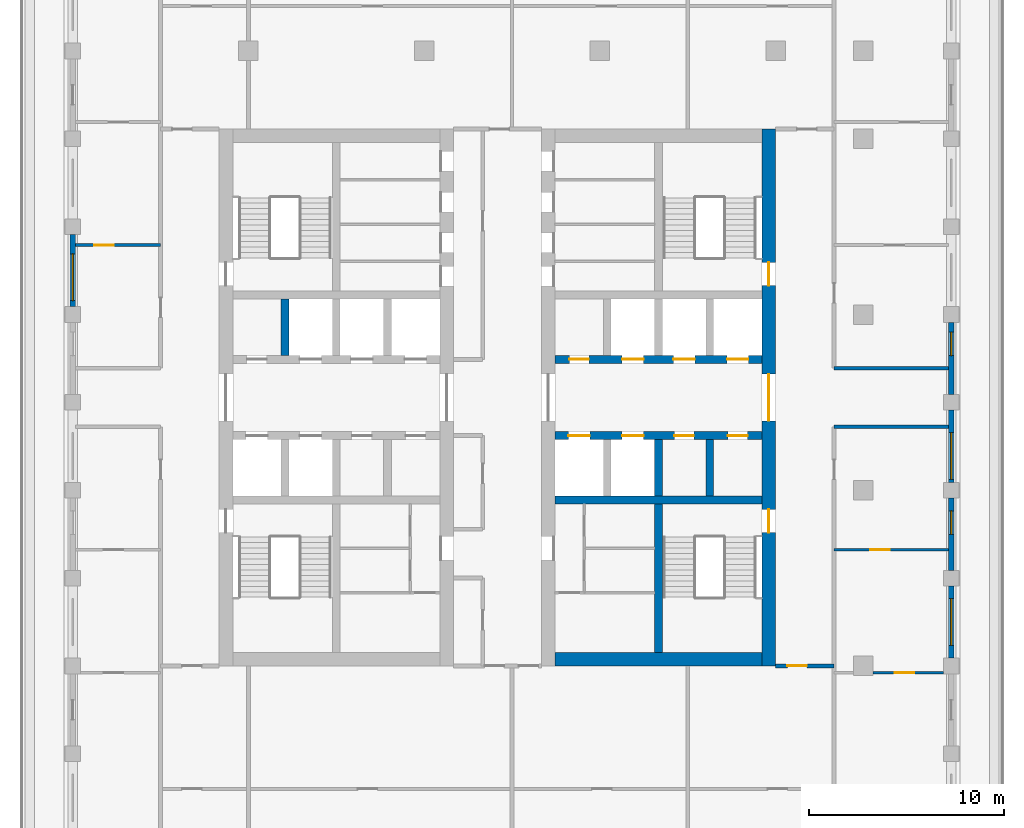
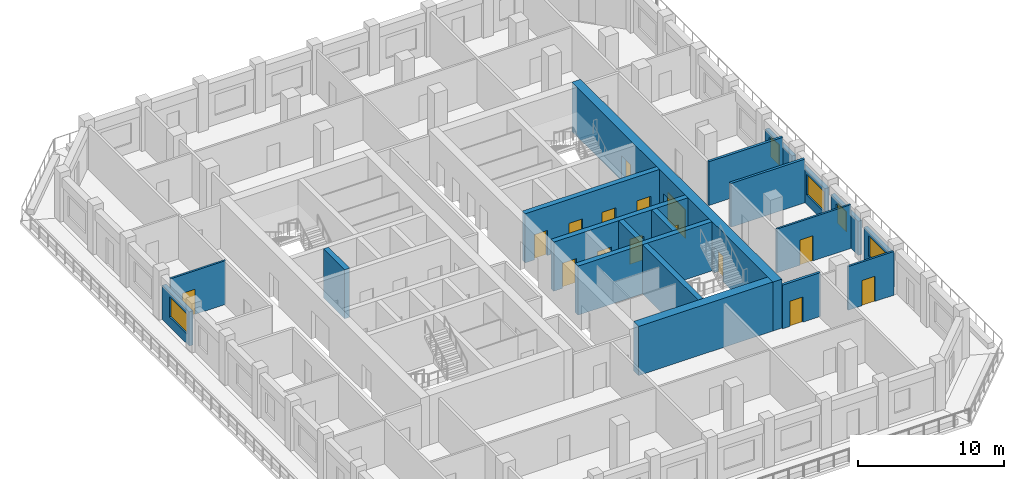
# One storey, part 5 of 17: 20 walls, 15 doors, 5 windows, 20 openings.
"""IFC4 building model written with IfcOpenShell, lengths in metres."""

from ifc_helpers import new_model, si_unit, direction, frame, frame_2d, origin, place, context, subcontext, project, spatial, rectangle, extrude, material, layer, layer_set, type_object, element, fill, save


model = new_model("IFC4")

# Units and contexts
model_context = context("Model", 3, precision=1e-05, world=origin(), true_north=direction((0.0, 1.0)))
body_context = subcontext(model_context, "Body", "Model", "MODEL_VIEW")
ifc_project = project(units=[si_unit("LENGTHUNIT", "METRE"), si_unit("AREAUNIT", "SQUARE_METRE"), si_unit("VOLUMEUNIT", "CUBIC_METRE"), si_unit("PLANEANGLEUNIT", "RADIAN"), si_unit("MASSUNIT", "GRAM", prefix="KILO")], contexts=[model_context])

# Site, building, storey
site_placement = place(None, origin())
site = spatial("IfcSite", under=ifc_project, at=site_placement, CompositionType="ELEMENT")
building_placement = place(site_placement, origin())
building = spatial("IfcBuilding", under=site, at=building_placement, Name="Corbel Stack Research Tower", CompositionType="ELEMENT")
storey_placement = place(building_placement, frame((0.0, 0.0, 235.699951171875)))
storey = spatial("IfcBuildingStorey", under=building, at=storey_placement, Name="L53", CompositionType="ELEMENT", Elevation=235.699951171875)

# Walls
ifc_material_1 = material(Name="Concrete C60/75", Category="concrete")
ifc_layer_1 = layer(ifc_material_1, 0.39990234375)
ifc_layer_set_1 = layer_set([ifc_layer_1], Name="Concrete C60/75")
wall_type_1 = type_object("IfcWallType", Name="CW-400-60", PredefinedType="SHEAR", material=ifc_layer_set_1)
wall_1_placement = place(storey_placement, frame((-7.125, 6.89990234375, 0.0), z_axis=(0.0, 0.0, 1.0), x_axis=(0.0, 1.0, 0.0)))
element("IfcWall", 1, at=wall_1_placement, inside=storey, type_object=wall_type_1, Name="West core wall, north shaft 1 L53", PredefinedType="SHEAR", context=body_context, shape_type="SweptSolid", body=[
    extrude(rectangle(XDim=2.900146484375, YDim=0.39990234375, at=frame_2d((1.4501953125, 0.0))), origin(), (0.0, 0.0, 1.0), 4.10009765625),
])
wall_2_placement = place(storey_placement, frame((6.699951171875, -0.5, 0.0), z_axis=(0.0, 0.0, 1.0), x_axis=(1.0, 0.0, 0.0)))
element("IfcWall", 2, at=wall_2_placement, inside=storey, type_object=wall_type_1, Name="East core wall, south row back L53", PredefinedType="SHEAR", context=body_context, shape_type="SweptSolid", body=[
    extrude(rectangle(XDim=10.60009765625, YDim=0.39990234375, at=frame_2d((5.300048828125, 0.0))), origin(), (0.0, 0.0, 1.0), 4.10009765625),
])

# Wall, openings, doors
wall_3_placement = place(storey_placement, frame((6.699951171875, 2.800048828125, 0.0), z_axis=(0.0, 0.0, 1.0), x_axis=(1.0, 0.0, 0.0)))
wall_3 = element("IfcWall", 3, at=wall_3_placement, inside=storey, type_object=wall_type_1, Name="East core wall, lobby south L53", PredefinedType="SHEAR", context=body_context, shape_type="SweptSolid", body=[
    extrude(rectangle(XDim=10.60009765625, YDim=0.39990234375, at=frame_2d((5.300048828125, 0.0))), origin(), (0.0, 0.0, 1.0), 4.10009765625),
])
opening_1_placement = place(wall_3_placement, frame((0.6875, 0.0, 0.0)))
opening_1 = element("IfcOpeningElement", 4, at=opening_1_placement, cuts=wall_3, Name="Opening LD-FS2", PredefinedType="OPENING", context=body_context, shape_type="SweptSolid", body=[
    extrude(rectangle(XDim=1.10009765625, YDim=2.10009765625, at=frame_2d((0.550048828125, 1.050048828125))), frame((0.0, 0.2099609375, 0.0), z_axis=(0.0, -1.0, 0.0), x_axis=(1.0, 0.0, 0.0)), (0.0, 0.0, 1.0), 0.419921875),
])
opening_2_placement = place(wall_3_placement, frame((3.4375, 0.0, 0.0)))
opening_2 = element("IfcOpeningElement", 5, at=opening_2_placement, cuts=wall_3, Name="Opening LD-GL2", PredefinedType="OPENING", context=body_context, shape_type="SweptSolid", body=[
    extrude(rectangle(XDim=1.10009765625, YDim=2.10009765625, at=frame_2d((0.550048828125, 1.050048828125))), frame((0.0, 0.2099609375, 0.0), z_axis=(0.0, -1.0, 0.0), x_axis=(1.0, 0.0, 0.0)), (0.0, 0.0, 1.0), 0.419921875),
])
opening_3_placement = place(wall_3_placement, frame((6.112548828125, 0.0, 0.0)))
opening_3 = element("IfcOpeningElement", 6, at=opening_3_placement, cuts=wall_3, Name="Opening CR-E66-S3", PredefinedType="OPENING", context=body_context, shape_type="SweptSolid", body=[
    extrude(rectangle(XDim=1.0, YDim=2.10009765625, at=frame_2d((0.5, 1.050048828125))), frame((0.0, 0.2099609375, 0.0), z_axis=(0.0, -1.0, 0.0), x_axis=(1.0, 0.0, 0.0)), (0.0, 0.0, 1.0), 0.419921875),
])
opening_4_placement = place(wall_3_placement, frame((8.862548828125, 0.0, 0.0)))
opening_4 = element("IfcOpeningElement", 7, at=opening_4_placement, cuts=wall_3, Name="Opening CR-E66-S4", PredefinedType="OPENING", context=body_context, shape_type="SweptSolid", body=[
    extrude(rectangle(XDim=1.0, YDim=2.10009765625, at=frame_2d((0.5, 1.050048828125))), frame((0.0, 0.2099609375, 0.0), z_axis=(0.0, -1.0, 0.0), x_axis=(1.0, 0.0, 0.0)), (0.0, 0.0, 1.0), 0.419921875),
])
ifc_material_2 = material(Name="Stainless steel landing door", Category="steel")
door_type_1 = type_object("IfcDoorType", Name="Lift landing door 1100 x 2100", OperationType="DOUBLE_DOOR_SLIDING", PredefinedType="DOOR", material=ifc_material_2)
door_1_placement = place(opening_1_placement, origin())
door_1 = element("IfcDoor", 8, at=door_1_placement, inside=storey, type_object=door_type_1, Name="Landing door FS2", OperationType="DOUBLE_DOOR_SLIDING", OverallHeight=2.10009765625, OverallWidth=1.10009765625, PredefinedType="DOOR", context=body_context, shape_type="SweptSolid", body=[
    extrude(rectangle(XDim=1.10009765625, YDim=2.10009765625, at=frame_2d((0.550048828125, 1.050048828125))), frame((0.0, 0.02490234375, 0.0), z_axis=(0.0, -1.0, 0.0), x_axis=(1.0, 0.0, 0.0)), (0.0, 0.0, 1.0), 0.050048828125),
])
fill(opening_1, door_1)
door_2_placement = place(opening_2_placement, origin())
door_2 = element("IfcDoor", 9, at=door_2_placement, inside=storey, type_object=door_type_1, Name="Landing door GL2", OperationType="DOUBLE_DOOR_SLIDING", OverallHeight=2.10009765625, OverallWidth=1.10009765625, PredefinedType="DOOR", context=body_context, shape_type="SweptSolid", body=[
    extrude(rectangle(XDim=1.10009765625, YDim=2.10009765625, at=frame_2d((0.550048828125, 1.050048828125))), frame((0.0, 0.02490234375, 0.0), z_axis=(0.0, -1.0, 0.0), x_axis=(1.0, 0.0, 0.0)), (0.0, 0.0, 1.0), 0.050048828125),
])
fill(opening_2, door_2)
ifc_material_3 = material(Name="Painted steel door", Category="steel")
door_type_2 = type_object("IfcDoorType", Name="Service door 1000 x 2100 FD60 left hand", OperationType="SINGLE_SWING_LEFT", PredefinedType="DOOR", material=ifc_material_3)
door_3_placement = place(opening_3_placement, origin())
door_3 = element("IfcDoor", 10, at=door_3_placement, inside=storey, type_object=door_type_2, Name="Pantry door E core", OperationType="SINGLE_SWING_LEFT", OverallHeight=2.10009765625, OverallWidth=1.0, PredefinedType="DOOR", context=body_context, shape_type="SweptSolid", body=[
    extrude(rectangle(XDim=1.0, YDim=2.10009765625, at=frame_2d((0.5, 1.050048828125))), frame((0.0, 0.02490234375, 0.0), z_axis=(0.0, -1.0, 0.0), x_axis=(1.0, 0.0, 0.0)), (0.0, 0.0, 1.0), 0.050048828125),
])
fill(opening_3, door_3)
ifc_material_4 = material(Name="Painted steel door", Category="steel")
door_type_3 = type_object("IfcDoorType", Name="Service door 1000 x 2100 FD60 right hand", OperationType="SINGLE_SWING_RIGHT", PredefinedType="DOOR", material=ifc_material_4)
door_4_placement = place(opening_4_placement, origin())
door_4 = element("IfcDoor", 11, at=door_4_placement, inside=storey, type_object=door_type_3, Name="Staff WC door E core", OperationType="SINGLE_SWING_RIGHT", OverallHeight=2.10009765625, OverallWidth=1.0, PredefinedType="DOOR", context=body_context, shape_type="SweptSolid", body=[
    extrude(rectangle(XDim=1.0, YDim=2.10009765625, at=frame_2d((0.5, 1.050048828125))), frame((0.0, 0.02490234375, 0.0), z_axis=(0.0, -1.0, 0.0), x_axis=(1.0, 0.0, 0.0)), (0.0, 0.0, 1.0), 0.050048828125),
])
fill(opening_4, door_4)

wall_4_placement = place(storey_placement, frame((6.699951171875, 6.699951171875, 0.0), z_axis=(0.0, 0.0, 1.0), x_axis=(1.0, 0.0, 0.0)))
wall_4 = element("IfcWall", 12, at=wall_4_placement, inside=storey, type_object=wall_type_1, Name="East core wall, lobby north L53", PredefinedType="SHEAR", context=body_context, shape_type="SweptSolid", body=[
    extrude(rectangle(XDim=10.60009765625, YDim=0.39990234375, at=frame_2d((5.300048828125, 0.0))), origin(), (0.0, 0.0, 1.0), 4.10009765625),
])
opening_5_placement = place(wall_4_placement, frame((3.4375, 0.0, 0.0)))
opening_5 = element("IfcOpeningElement", 13, at=opening_5_placement, cuts=wall_4, Name="Opening LD-HR4", PredefinedType="OPENING", context=body_context, shape_type="SweptSolid", body=[
    extrude(rectangle(XDim=1.10009765625, YDim=2.10009765625, at=frame_2d((0.550048828125, 1.050048828125))), frame((0.0, 0.2099609375, 0.0), z_axis=(0.0, -1.0, 0.0), x_axis=(1.0, 0.0, 0.0)), (0.0, 0.0, 1.0), 0.419921875),
])
opening_6_placement = place(wall_4_placement, frame((6.0625, 0.0, 0.0)))
opening_6 = element("IfcOpeningElement", 14, at=opening_6_placement, cuts=wall_4, Name="Opening LD-HR5", PredefinedType="OPENING", context=body_context, shape_type="SweptSolid", body=[
    extrude(rectangle(XDim=1.10009765625, YDim=2.10009765625, at=frame_2d((0.550048828125, 1.050048828125))), frame((0.0, 0.2099609375, 0.0), z_axis=(0.0, -1.0, 0.0), x_axis=(1.0, 0.0, 0.0)), (0.0, 0.0, 1.0), 0.419921875),
])
opening_7_placement = place(wall_4_placement, frame((8.8125, 0.0, 0.0)))
opening_7 = element("IfcOpeningElement", 15, at=opening_7_placement, cuts=wall_4, Name="Opening LD-HR6", PredefinedType="OPENING", context=body_context, shape_type="SweptSolid", body=[
    extrude(rectangle(XDim=1.10009765625, YDim=2.10009765625, at=frame_2d((0.550048828125, 1.050048828125))), frame((0.0, 0.2099609375, 0.0), z_axis=(0.0, -1.0, 0.0), x_axis=(1.0, 0.0, 0.0)), (0.0, 0.0, 1.0), 0.419921875),
])
opening_8_placement = place(wall_4_placement, frame((0.737548828125, 0.0, 0.0)))
opening_8 = element("IfcOpeningElement", 16, at=opening_8_placement, cuts=wall_4, Name="Opening CR-E66-N1", PredefinedType="OPENING", context=body_context, shape_type="SweptSolid", body=[
    extrude(rectangle(XDim=1.0, YDim=2.10009765625, at=frame_2d((0.5, 1.050048828125))), frame((0.0, 0.2099609375, 0.0), z_axis=(0.0, -1.0, 0.0), x_axis=(1.0, 0.0, 0.0)), (0.0, 0.0, 1.0), 0.419921875),
])
door_5_placement = place(opening_5_placement, origin())
door_5 = element("IfcDoor", 17, at=door_5_placement, inside=storey, type_object=door_type_1, Name="Landing door HR4", OperationType="DOUBLE_DOOR_SLIDING", OverallHeight=2.10009765625, OverallWidth=1.10009765625, PredefinedType="DOOR", context=body_context, shape_type="SweptSolid", body=[
    extrude(rectangle(XDim=1.10009765625, YDim=2.10009765625, at=frame_2d((0.550048828125, 1.050048828125))), frame((0.0, 0.02490234375, 0.0), z_axis=(0.0, -1.0, 0.0), x_axis=(1.0, 0.0, 0.0)), (0.0, 0.0, 1.0), 0.050048828125),
])
fill(opening_5, door_5)
door_6_placement = place(opening_6_placement, origin())
door_6 = element("IfcDoor", 18, at=door_6_placement, inside=storey, type_object=door_type_1, Name="Landing door HR5", OperationType="DOUBLE_DOOR_SLIDING", OverallHeight=2.10009765625, OverallWidth=1.10009765625, PredefinedType="DOOR", context=body_context, shape_type="SweptSolid", body=[
    extrude(rectangle(XDim=1.10009765625, YDim=2.10009765625, at=frame_2d((0.550048828125, 1.050048828125))), frame((0.0, 0.02490234375, 0.0), z_axis=(0.0, -1.0, 0.0), x_axis=(1.0, 0.0, 0.0)), (0.0, 0.0, 1.0), 0.050048828125),
])
fill(opening_6, door_6)
door_7_placement = place(opening_7_placement, origin())
door_7 = element("IfcDoor", 19, at=door_7_placement, inside=storey, type_object=door_type_1, Name="Landing door HR6", OperationType="DOUBLE_DOOR_SLIDING", OverallHeight=2.10009765625, OverallWidth=1.10009765625, PredefinedType="DOOR", context=body_context, shape_type="SweptSolid", body=[
    extrude(rectangle(XDim=1.10009765625, YDim=2.10009765625, at=frame_2d((0.550048828125, 1.050048828125))), frame((0.0, 0.02490234375, 0.0), z_axis=(0.0, -1.0, 0.0), x_axis=(1.0, 0.0, 0.0)), (0.0, 0.0, 1.0), 0.050048828125),
])
fill(opening_7, door_7)
door_8_placement = place(opening_8_placement, origin())
door_8 = element("IfcDoor", 20, at=door_8_placement, inside=storey, type_object=door_type_2, Name="Laboratory consumables store door E core", OperationType="SINGLE_SWING_LEFT", OverallHeight=2.10009765625, OverallWidth=1.0, PredefinedType="DOOR", context=body_context, shape_type="SweptSolid", body=[
    extrude(rectangle(XDim=1.0, YDim=2.10009765625, at=frame_2d((0.5, 1.050048828125))), frame((0.0, 0.02490234375, 0.0), z_axis=(0.0, -1.0, 0.0), x_axis=(1.0, 0.0, 0.0)), (0.0, 0.0, 1.0), 0.050048828125),
])
fill(opening_8, door_8)

# Walls
for number, where, z_axis, x_axis, name in (
    (21, (12.0, -0.300048828125, 0.0), (0.0, 0.0, 1.0), (0.0, 1.0, 0.0), "East core wall, south shaft 2 L53"),
    (22, (14.625, -0.300048828125, 0.0), (0.0, 0.0, 1.0), (0.0, 1.0, 0.0), "East core wall, south shaft 3 L53"),
):
    element("IfcWall", number, at=place(storey_placement, frame(where, z_axis=z_axis, x_axis=x_axis)), inside=storey, type_object=wall_type_1, Name=name, PredefinedType="SHEAR", context=body_context, shape_type="SweptSolid", body=[
        extrude(rectangle(XDim=2.900146484375, YDim=0.39990234375, at=frame_2d((1.4501953125, 0.0))), origin(), (0.0, 0.0, 1.0), 4.10009765625),
    ])
wall_5_placement = place(storey_placement, frame((12.0, -8.300048828125, 0.0), z_axis=(0.0, 0.0, 1.0), x_axis=(0.0, 1.0, 0.0)))
element("IfcWall", 23, at=wall_5_placement, inside=storey, type_object=wall_type_1, Name="East core wall, south stair and WC L53", PredefinedType="SHEAR", context=body_context, shape_type="SweptSolid", body=[
    extrude(rectangle(XDim=7.60009765625, YDim=0.39990234375, at=frame_2d((3.800048828125, 0.0))), origin(), (0.0, 0.0, 1.0), 4.10009765625),
])

# Wall, openings, doors
ifc_material_5 = material(Name="Concrete C60/75", Category="concrete")
ifc_layer_2 = layer(ifc_material_5, 0.699951171875)
ifc_layer_set_2 = layer_set([ifc_layer_2], Name="Concrete C60/75")
wall_type_2 = type_object("IfcWallType", Name="CW-700-60", PredefinedType="SHEAR", material=ifc_layer_set_2)
wall_6_placement = place(storey_placement, frame((17.64990234375, -9.0, 0.0), z_axis=(0.0, 0.0, 1.0), x_axis=(0.0, 1.0, 0.0)))
wall_6 = element("IfcWall", 24, at=wall_6_placement, inside=storey, type_object=wall_type_2, Name="East core wall, east face L53", PredefinedType="SHEAR", context=body_context, shape_type="SweptSolid", body=[
    extrude(rectangle(XDim=27.5, YDim=0.699951171875, at=frame_2d((13.75, 0.0))), origin(), (0.0, 0.0, 1.0), 4.10009765625),
])
opening_9_placement = place(wall_6_placement, frame((12.550048828125, 0.0, 0.0)))
opening_9 = element("IfcOpeningElement", 25, at=opening_9_placement, cuts=wall_6, Name="Opening CD-E-E", PredefinedType="OPENING", context=body_context, shape_type="SweptSolid", body=[
    extrude(rectangle(XDim=2.39990234375, YDim=2.39990234375, at=frame_2d((1.199951171875, 1.199951171875))), frame((0.0, 0.35986328125, 0.0), z_axis=(0.0, -1.0, 0.0), x_axis=(1.0, 0.0, 0.0)), (0.0, 0.0, 1.0), 0.719970703125),
])
opening_10_placement = place(wall_6_placement, frame((6.824951171875, 0.0, 0.0)))
opening_10 = element("IfcOpeningElement", 26, at=opening_10_placement, cuts=wall_6, Name="Opening SD-ST-E1", PredefinedType="OPENING", context=body_context, shape_type="SweptSolid", body=[
    extrude(rectangle(XDim=1.199951171875, YDim=2.10009765625, at=frame_2d((0.60009765625, 1.050048828125))), frame((0.0, 0.35986328125, 0.0), z_axis=(0.0, -1.0, 0.0), x_axis=(1.0, 0.0, 0.0)), (0.0, 0.0, 1.0), 0.719970703125),
])
opening_11_placement = place(wall_6_placement, frame((19.47509765625, 0.0, 0.0)))
opening_11 = element("IfcOpeningElement", 27, at=opening_11_placement, cuts=wall_6, Name="Opening SD-ST-E2", PredefinedType="OPENING", context=body_context, shape_type="SweptSolid", body=[
    extrude(rectangle(XDim=1.199951171875, YDim=2.10009765625, at=frame_2d((0.60009765625, 1.050048828125))), frame((0.0, 0.35986328125, 0.0), z_axis=(0.0, -1.0, 0.0), x_axis=(1.0, 0.0, 0.0)), (0.0, 0.0, 1.0), 0.719970703125),
])
ifc_material_6 = material(Name="Painted steel fire door", Category="steel")
door_type_4 = type_object("IfcDoorType", Name="Lobby door pair 2400 x 2400 FD30S", OperationType="DOUBLE_DOOR_DOUBLE_SWING", PredefinedType="DOOR", material=ifc_material_6)
door_9_placement = place(opening_9_placement, origin())
door_9 = element("IfcDoor", 28, at=door_9_placement, inside=storey, type_object=door_type_4, Name="Lift lobby door E core E", OperationType="DOUBLE_DOOR_DOUBLE_SWING", OverallHeight=2.39990234375, OverallWidth=2.39990234375, PredefinedType="DOOR", context=body_context, shape_type="SweptSolid", body=[
    extrude(rectangle(XDim=2.39990234375, YDim=2.39990234375, at=frame_2d((1.199951171875, 1.199951171875))), frame((0.0, 0.02490234375, 0.0), z_axis=(0.0, -1.0, 0.0), x_axis=(1.0, 0.0, 0.0)), (0.0, 0.0, 1.0), 0.050048828125),
])
fill(opening_9, door_9)
ifc_material_7 = material(Name="Painted steel fire door", Category="steel")
door_type_5 = type_object("IfcDoorType", Name="Stair door 1200 x 2100 FD90 right hand", OperationType="SINGLE_SWING_RIGHT", PredefinedType="DOOR", material=ifc_material_7)
door_10_placement = place(opening_10_placement, frame((1.199951171875, 0.0, 0.0), z_axis=(0.0, 0.0, 1.0), x_axis=(-1.0, 0.0, 0.0)))
door_10 = element("IfcDoor", 29, at=door_10_placement, inside=storey, type_object=door_type_5, Name="Stair door ST-E1", OperationType="SINGLE_SWING_LEFT", OverallHeight=2.10009765625, OverallWidth=1.199951171875, PredefinedType="DOOR", context=body_context, shape_type="SweptSolid", body=[
    extrude(rectangle(XDim=1.199951171875, YDim=2.10009765625, at=frame_2d((0.60009765625, 1.050048828125))), frame((0.0, 0.02490234375, 0.0), z_axis=(0.0, -1.0, 0.0), x_axis=(1.0, 0.0, 0.0)), (0.0, 0.0, 1.0), 0.050048828125),
])
fill(opening_10, door_10)
door_11_placement = place(opening_11_placement, frame((1.199951171875, 0.0, 0.0), z_axis=(0.0, 0.0, 1.0), x_axis=(-1.0, 0.0, 0.0)))
door_11 = element("IfcDoor", 30, at=door_11_placement, inside=storey, type_object=door_type_5, Name="Stair door ST-E2", OperationType="SINGLE_SWING_LEFT", OverallHeight=2.10009765625, OverallWidth=1.199951171875, PredefinedType="DOOR", context=body_context, shape_type="SweptSolid", body=[
    extrude(rectangle(XDim=1.199951171875, YDim=2.10009765625, at=frame_2d((0.60009765625, 1.050048828125))), frame((0.0, 0.02490234375, 0.0), z_axis=(0.0, -1.0, 0.0), x_axis=(1.0, 0.0, 0.0)), (0.0, 0.0, 1.0), 0.050048828125),
])
fill(opening_11, door_11)

# Wall
wall_7_placement = place(storey_placement, frame((6.699951171875, -8.64990234375, 0.0), z_axis=(0.0, 0.0, 1.0), x_axis=(1.0, 0.0, 0.0)))
element("IfcWall", 31, at=wall_7_placement, inside=storey, type_object=wall_type_2, Name="East core wall, south end L53", PredefinedType="SHEAR", context=body_context, shape_type="SweptSolid", body=[
    extrude(rectangle(XDim=10.60009765625, YDim=0.699951171875, at=frame_2d((5.300048828125, 0.0))), origin(), (0.0, 0.0, 1.0), 4.10009765625),
])

# Wall, opening, door
ifc_material_8 = material(Name="Fire-rated gypsum board partition on steel studs", Category="steel")
ifc_layer_3 = layer(ifc_material_8, 0.199951171875)
ifc_layer_set_3 = layer_set([ifc_layer_3], Name="Fire-rated gypsum board partition on steel studs")
wall_type_3 = type_object("IfcWallType", Name="Fire-rated partition 200 EI 60", PredefinedType="PARTITIONING", material=ifc_layer_set_3)
wall_8_placement = place(storey_placement, frame((21.0, -9.0, 0.0), z_axis=(0.0, 0.0, 1.0), x_axis=(-1.0, 0.0, 0.0)))
wall_8 = element("IfcWall", 32, at=wall_8_placement, inside=storey, type_object=wall_type_3, Name="Partition L53-023", PredefinedType="PARTITIONING", context=body_context, shape_type="SweptSolid", body=[
    extrude(rectangle(XDim=3.0, YDim=0.199951171875, at=frame_2d((1.5, 0.0))), origin(), (0.0, 0.0, 1.0), 3.650146484375),
])
opening_12_placement = place(wall_8_placement, frame((1.39990234375, 0.0, 0.0)))
opening_12 = element("IfcOpeningElement", 33, at=opening_12_placement, cuts=wall_8, Name="Opening B7V0-012", PredefinedType="OPENING", context=body_context, shape_type="SweptSolid", body=[
    extrude(rectangle(XDim=1.0, YDim=2.10009765625, at=frame_2d((0.5, 1.050048828125))), frame((0.0, 0.10986328125, 0.0), z_axis=(0.0, -1.0, 0.0), x_axis=(1.0, 0.0, 0.0)), (0.0, 0.0, 1.0), 0.219970703125),
])
ifc_material_9 = material(Name="Painted steel fire door", Category="steel")
door_type_6 = type_object("IfcDoorType", Name="Fire door FD30S 1000 x 2100", OperationType="NOTDEFINED", PredefinedType="DOOR", material=ifc_material_9)
door_12_placement = place(opening_12_placement, origin())
door_12 = element("IfcDoor", 34, at=door_12_placement, inside=storey, type_object=door_type_6, Name="Door B7V0-012", OperationType="SINGLE_SWING_RIGHT", OverallHeight=2.10009765625, OverallWidth=1.0, PredefinedType="DOOR", context=body_context, shape_type="SweptSolid", body=[
    extrude(rectangle(XDim=1.0, YDim=2.10009765625, at=frame_2d((0.5, 1.050048828125))), frame((0.0, 0.02490234375, 0.0), z_axis=(0.0, -1.0, 0.0), x_axis=(1.0, 0.0, 0.0)), (0.0, 0.0, 1.0), 0.050048828125),
])
fill(opening_12, door_12)

# Walls
for number, where, z_axis, x_axis, name in (
    (35, (21.0, 3.25, 0.0), (0.0, 0.0, 1.0), (1.0, 0.0, 0.0), "Partition L53-030"),
    (36, (21.0, 6.25, 0.0), (0.0, 0.0, 1.0), (1.0, 0.0, 0.0), "Partition L53-032"),
):
    element("IfcWall", number, at=place(storey_placement, frame(where, z_axis=z_axis, x_axis=x_axis)), inside=storey, type_object=wall_type_3, Name=name, PredefinedType="PARTITIONING", context=body_context, shape_type="SweptSolid", body=[
        extrude(rectangle(XDim=5.85009765625, YDim=0.199951171875, at=frame_2d((2.925048828125, 0.0))), origin(), (0.0, 0.0, 1.0), 3.650146484375),
    ])

# Wall, opening, door
ifc_material_10 = material(Name="Gypsum board partition on steel studs", Category="steel")
ifc_layer_4 = layer(ifc_material_10, 0.14990234375)
ifc_layer_set_4 = layer_set([ifc_layer_4], Name="Gypsum board partition on steel studs")
wall_type_4 = type_object("IfcWallType", Name="Partition 150", PredefinedType="PARTITIONING", material=ifc_layer_set_4)
wall_9_placement = place(storey_placement, frame((26.60009765625, -9.35009765625, 0.0), z_axis=(0.0, 0.0, 1.0), x_axis=(-1.0, 0.0, 0.0)))
wall_9 = element("IfcWall", 37, at=wall_9_placement, inside=storey, type_object=wall_type_4, Name="Partition L53-020", PredefinedType="PARTITIONING", context=body_context, shape_type="SweptSolid", body=[
    extrude(rectangle(XDim=3.60009765625, YDim=0.14990234375, at=frame_2d((1.800048828125, 0.0))), origin(), (0.0, 0.0, 1.0), 3.650146484375),
])
opening_13_placement = place(wall_9_placement, frame((1.5, 0.0, 0.0)))
opening_13 = element("IfcOpeningElement", 38, at=opening_13_placement, cuts=wall_9, Name="Opening B7V0-008", PredefinedType="OPENING", context=body_context, shape_type="SweptSolid", body=[
    extrude(rectangle(XDim=1.0, YDim=2.10009765625, at=frame_2d((0.5, 1.050048828125))), frame((0.0, 0.0849609375, 0.0), z_axis=(0.0, -1.0, 0.0), x_axis=(1.0, 0.0, 0.0)), (0.0, 0.0, 1.0), 0.169921875),
])
ifc_material_11 = material(Name="Painted timber door", Category="wood")
door_type_7 = type_object("IfcDoorType", Name="Single door 1000 x 2100", OperationType="NOTDEFINED", PredefinedType="DOOR", material=ifc_material_11)
door_13_placement = place(opening_13_placement, origin())
door_13 = element("IfcDoor", 39, at=door_13_placement, inside=storey, type_object=door_type_7, Name="Door B7V0-008", OperationType="SINGLE_SWING_RIGHT", OverallHeight=2.10009765625, OverallWidth=1.0, PredefinedType="DOOR", context=body_context, shape_type="SweptSolid", body=[
    extrude(rectangle(XDim=1.0, YDim=2.10009765625, at=frame_2d((0.5, 1.050048828125))), frame((0.0, 0.02490234375, 0.0), z_axis=(0.0, -1.0, 0.0), x_axis=(1.0, 0.0, 0.0)), (0.0, 0.0, 1.0), 0.050048828125),
])
fill(opening_13, door_13)

wall_10_placement = place(storey_placement, frame((26.85009765625, -3.050048828125, 0.0), z_axis=(0.0, 0.0, 1.0), x_axis=(-1.0, 0.0, 0.0)))
wall_10 = element("IfcWall", 40, at=wall_10_placement, inside=storey, type_object=wall_type_4, Name="Partition L53-026", PredefinedType="PARTITIONING", context=body_context, shape_type="SweptSolid", body=[
    extrude(rectangle(XDim=5.85009765625, YDim=0.14990234375, at=frame_2d((2.925048828125, 0.0))), origin(), (0.0, 0.0, 1.0), 3.650146484375),
])
opening_14_placement = place(wall_10_placement, frame((3.0, 0.0, 0.0)))
opening_14 = element("IfcOpeningElement", 41, at=opening_14_placement, cuts=wall_10, Name="Opening B7V0-014", PredefinedType="OPENING", context=body_context, shape_type="SweptSolid", body=[
    extrude(rectangle(XDim=1.0, YDim=2.10009765625, at=frame_2d((0.5, 1.050048828125))), frame((0.0, 0.0849609375, 0.0), z_axis=(0.0, -1.0, 0.0), x_axis=(1.0, 0.0, 0.0)), (0.0, 0.0, 1.0), 0.169921875),
])
door_14_placement = place(opening_14_placement, origin())
door_14 = element("IfcDoor", 42, at=door_14_placement, inside=storey, type_object=door_type_7, Name="Door B7V0-014", OperationType="SINGLE_SWING_RIGHT", OverallHeight=2.10009765625, OverallWidth=1.0, PredefinedType="DOOR", context=body_context, shape_type="SweptSolid", body=[
    extrude(rectangle(XDim=1.0, YDim=2.10009765625, at=frame_2d((0.5, 1.050048828125))), frame((0.0, 0.02490234375, 0.0), z_axis=(0.0, -1.0, 0.0), x_axis=(1.0, 0.0, 0.0)), (0.0, 0.0, 1.0), 0.050048828125),
])
fill(opening_14, door_14)

wall_11_placement = place(storey_placement, frame((-17.85009765625, 12.550048828125, 0.0), z_axis=(0.0, 0.0, 1.0), x_axis=(1.0, 0.0, 0.0)))
wall_11 = element("IfcWall", 43, at=wall_11_placement, inside=storey, type_object=wall_type_4, Name="Partition L53-034", PredefinedType="PARTITIONING", context=body_context, shape_type="SweptSolid", body=[
    extrude(rectangle(XDim=4.35009765625, YDim=0.14990234375, at=frame_2d((2.175048828125, 0.0))), origin(), (0.0, 0.0, 1.0), 3.650146484375),
])
opening_15_placement = place(wall_11_placement, frame((0.949951171875, 0.0, 0.0)))
opening_15 = element("IfcOpeningElement", 44, at=opening_15_placement, cuts=wall_11, Name="Opening B7V0-019", PredefinedType="OPENING", context=body_context, shape_type="SweptSolid", body=[
    extrude(rectangle(XDim=1.0, YDim=2.10009765625, at=frame_2d((0.5, 1.050048828125))), frame((0.0, 0.0849609375, 0.0), z_axis=(0.0, -1.0, 0.0), x_axis=(1.0, 0.0, 0.0)), (0.0, 0.0, 1.0), 0.169921875),
])
door_15_placement = place(opening_15_placement, origin())
door_15 = element("IfcDoor", 45, at=door_15_placement, inside=storey, type_object=door_type_7, Name="Door B7V0-019", OperationType="SINGLE_SWING_LEFT", OverallHeight=2.10009765625, OverallWidth=1.0, PredefinedType="DOOR", context=body_context, shape_type="SweptSolid", body=[
    extrude(rectangle(XDim=1.0, YDim=2.10009765625, at=frame_2d((0.5, 1.050048828125))), frame((0.0, 0.02490234375, 0.0), z_axis=(0.0, -1.0, 0.0), x_axis=(1.0, 0.0, 0.0)), (0.0, 0.0, 1.0), 0.050048828125),
])
fill(opening_15, door_15)

# Wall, opening, window
ifc_material_12 = material(Name="Concrete C45/55", Category="concrete")
ifc_layer_5 = layer(ifc_material_12, 0.300048828125)
ifc_layer_set_5 = layer_set([ifc_layer_5], Name="Concrete C45/55")
wall_type_5 = type_object("IfcWallType", Name="Terracotta-faced concrete wall 300", PredefinedType="SOLIDWALL", material=ifc_layer_set_5)
wall_12_placement = place(storey_placement, frame((27.0, -4.89990234375, 0.0), z_axis=(0.0, 0.0, 1.0), x_axis=(0.0, -1.0, 0.0)))
wall_12 = element("IfcWall", 46, at=wall_12_placement, inside=storey, type_object=wall_type_5, Name="Facade wall L53 E03", PredefinedType="SOLIDWALL", context=body_context, shape_type="SweptSolid", body=[
    extrude(rectangle(XDim=3.7001953125, YDim=0.300048828125, at=frame_2d((1.85009765625, 0.0))), origin(), (0.0, 0.0, 1.0), 2.85009765625),
])
opening_16_placement = place(wall_12_placement, frame((0.64990234375, 0.0, 0.800048828125)))
opening_16 = element("IfcOpeningElement", 47, at=opening_16_placement, cuts=wall_12, Name="Opening W1", PredefinedType="OPENING", context=body_context, shape_type="SweptSolid", body=[
    extrude(rectangle(XDim=2.39990234375, YDim=1.699951171875, at=frame_2d((1.199951171875, 0.85009765625))), frame((0.0, 0.159912109375, 0.0), z_axis=(0.0, -1.0, 0.0), x_axis=(1.0, 0.0, 0.0)), (0.0, 0.0, 1.0), 0.320068359375),
])
ifc_material_13 = material(Name="Aluminium frame, clear double glazing", Category="aluminium")
window_type_1 = type_object("IfcWindowType", Name="Window W1 2400 x 1700", PartitioningType="SINGLE_PANEL", PredefinedType="WINDOW", material=ifc_material_13)
window_1_placement = place(opening_16_placement, origin())
window_1 = element("IfcWindow", 48, at=window_1_placement, inside=storey, type_object=window_type_1, Name="Window W1 L53 E03", OverallHeight=1.699951171875, OverallWidth=2.39990234375, PartitioningType="SINGLE_PANEL", PredefinedType="WINDOW", context=body_context, shape_type="SweptSolid", body=[
    extrude(rectangle(XDim=2.39990234375, YDim=1.699951171875, at=frame_2d((1.199951171875, 0.85009765625))), frame((0.0, 0.030029296875, 0.0), z_axis=(0.0, -1.0, 0.0), x_axis=(1.0, 0.0, 0.0)), (0.0, 0.0, 1.0), 0.06005859375),
])
fill(opening_16, window_1)

wall_13_placement = place(storey_placement, frame((27.0, -0.39990234375, 0.0), z_axis=(0.0, 0.0, 1.0), x_axis=(0.0, -1.0, 0.0)))
wall_13 = element("IfcWall", 49, at=wall_13_placement, inside=storey, type_object=wall_type_5, Name="Facade wall L53 E04", PredefinedType="SOLIDWALL", context=body_context, shape_type="SweptSolid", body=[
    extrude(rectangle(XDim=3.7001953125, YDim=0.300048828125, at=frame_2d((1.85009765625, 0.0))), origin(), (0.0, 0.0, 1.0), 2.85009765625),
])
opening_17_placement = place(wall_13_placement, frame((0.66259765625, 0.0, 0.800048828125)))
opening_17 = element("IfcOpeningElement", 50, at=opening_17_placement, cuts=wall_13, Name="Opening W2", PredefinedType="OPENING", context=body_context, shape_type="SweptSolid", body=[
    extrude(rectangle(XDim=1.199951171875, YDim=1.699951171875, at=frame_2d((0.60009765625, 0.85009765625))), frame((0.0, 0.159912109375, 0.0), z_axis=(0.0, -1.0, 0.0), x_axis=(1.0, 0.0, 0.0)), (0.0, 0.0, 1.0), 0.320068359375),
])
ifc_material_14 = material(Name="Aluminium frame, clear double glazing", Category="aluminium")
window_type_2 = type_object("IfcWindowType", Name="Window W2 1200 x 1700", PartitioningType="SINGLE_PANEL", PredefinedType="WINDOW", material=ifc_material_14)
window_2_placement = place(opening_17_placement, origin())
window_2 = element("IfcWindow", 51, at=window_2_placement, inside=storey, type_object=window_type_2, Name="Window W2 L53 E04", OverallHeight=1.699951171875, OverallWidth=1.199951171875, PartitioningType="SINGLE_PANEL", PredefinedType="WINDOW", context=body_context, shape_type="SweptSolid", body=[
    extrude(rectangle(XDim=1.199951171875, YDim=1.699951171875, at=frame_2d((0.60009765625, 0.85009765625))), frame((0.0, 0.030029296875, 0.0), z_axis=(0.0, -1.0, 0.0), x_axis=(1.0, 0.0, 0.0)), (0.0, 0.0, 1.0), 0.06005859375),
])
fill(opening_17, window_2)

wall_14_placement = place(storey_placement, frame((27.0, 4.10009765625, 0.0), z_axis=(0.0, 0.0, 1.0), x_axis=(0.0, -1.0, 0.0)))
wall_14 = element("IfcWall", 52, at=wall_14_placement, inside=storey, type_object=wall_type_5, Name="Facade wall L53 E05", PredefinedType="SOLIDWALL", context=body_context, shape_type="SweptSolid", body=[
    extrude(rectangle(XDim=3.7001953125, YDim=0.300048828125, at=frame_2d((1.85009765625, 0.0))), origin(), (0.0, 0.0, 1.0), 2.85009765625),
])
opening_18_placement = place(wall_14_placement, frame((1.14990234375, 0.0, 0.800048828125)))
opening_18 = element("IfcOpeningElement", 53, at=opening_18_placement, cuts=wall_14, Name="Opening W1", PredefinedType="OPENING", context=body_context, shape_type="SweptSolid", body=[
    extrude(rectangle(XDim=2.39990234375, YDim=1.699951171875, at=frame_2d((1.199951171875, 0.85009765625))), frame((0.0, 0.159912109375, 0.0), z_axis=(0.0, -1.0, 0.0), x_axis=(1.0, 0.0, 0.0)), (0.0, 0.0, 1.0), 0.320068359375),
])
window_3_placement = place(opening_18_placement, origin())
window_3 = element("IfcWindow", 54, at=window_3_placement, inside=storey, type_object=window_type_1, Name="Window W1 L53 E05", OverallHeight=1.699951171875, OverallWidth=2.39990234375, PartitioningType="SINGLE_PANEL", PredefinedType="WINDOW", context=body_context, shape_type="SweptSolid", body=[
    extrude(rectangle(XDim=2.39990234375, YDim=1.699951171875, at=frame_2d((1.199951171875, 0.85009765625))), frame((0.0, 0.030029296875, 0.0), z_axis=(0.0, -1.0, 0.0), x_axis=(1.0, 0.0, 0.0)), (0.0, 0.0, 1.0), 0.06005859375),
])
fill(opening_18, window_3)

wall_15_placement = place(storey_placement, frame((27.0, 8.60009765625, 0.0), z_axis=(0.0, 0.0, 1.0), x_axis=(0.0, -1.0, 0.0)))
wall_15 = element("IfcWall", 55, at=wall_15_placement, inside=storey, type_object=wall_type_5, Name="Facade wall L53 E06", PredefinedType="SOLIDWALL", context=body_context, shape_type="SweptSolid", body=[
    extrude(rectangle(XDim=3.7001953125, YDim=0.300048828125, at=frame_2d((1.85009765625, 0.0))), origin(), (0.0, 0.0, 1.0), 2.85009765625),
])
opening_19_placement = place(wall_15_placement, frame((0.5, 0.0, 0.800048828125)))
opening_19 = element("IfcOpeningElement", 56, at=opening_19_placement, cuts=wall_15, Name="Opening W2", PredefinedType="OPENING", context=body_context, shape_type="SweptSolid", body=[
    extrude(rectangle(XDim=1.199951171875, YDim=1.699951171875, at=frame_2d((0.60009765625, 0.85009765625))), frame((0.0, 0.159912109375, 0.0), z_axis=(0.0, -1.0, 0.0), x_axis=(1.0, 0.0, 0.0)), (0.0, 0.0, 1.0), 0.320068359375),
])
window_4_placement = place(opening_19_placement, origin())
window_4 = element("IfcWindow", 57, at=window_4_placement, inside=storey, type_object=window_type_2, Name="Window W2 L53 E06", OverallHeight=1.699951171875, OverallWidth=1.199951171875, PartitioningType="SINGLE_PANEL", PredefinedType="WINDOW", context=body_context, shape_type="SweptSolid", body=[
    extrude(rectangle(XDim=1.199951171875, YDim=1.699951171875, at=frame_2d((0.60009765625, 0.85009765625))), frame((0.0, 0.030029296875, 0.0), z_axis=(0.0, -1.0, 0.0), x_axis=(1.0, 0.0, 0.0)), (0.0, 0.0, 1.0), 0.06005859375),
])
fill(opening_19, window_4)

wall_16_placement = place(storey_placement, frame((-18.0, 9.39990234375, 0.0), z_axis=(0.0, 0.0, 1.0), x_axis=(0.0, 1.0, 0.0)))
wall_16 = element("IfcWall", 58, at=wall_16_placement, inside=storey, type_object=wall_type_5, Name="Facade wall L53 W04", PredefinedType="SOLIDWALL", context=body_context, shape_type="SweptSolid", body=[
    extrude(rectangle(XDim=3.7001953125, YDim=0.300048828125, at=frame_2d((1.85009765625, 0.0))), origin(), (0.0, 0.0, 1.0), 2.85009765625),
])
opening_20_placement = place(wall_16_placement, frame((0.3125, 0.0, 0.800048828125)))
opening_20 = element("IfcOpeningElement", 59, at=opening_20_placement, cuts=wall_16, Name="Opening W1", PredefinedType="OPENING", context=body_context, shape_type="SweptSolid", body=[
    extrude(rectangle(XDim=2.39990234375, YDim=1.699951171875, at=frame_2d((1.199951171875, 0.85009765625))), frame((0.0, 0.159912109375, 0.0), z_axis=(0.0, -1.0, 0.0), x_axis=(1.0, 0.0, 0.0)), (0.0, 0.0, 1.0), 0.320068359375),
])
window_5_placement = place(opening_20_placement, origin())
window_5 = element("IfcWindow", 60, at=window_5_placement, inside=storey, type_object=window_type_1, Name="Window W1 L53 W04", OverallHeight=1.699951171875, OverallWidth=2.39990234375, PartitioningType="SINGLE_PANEL", PredefinedType="WINDOW", context=body_context, shape_type="SweptSolid", body=[
    extrude(rectangle(XDim=2.39990234375, YDim=1.699951171875, at=frame_2d((1.199951171875, 0.85009765625))), frame((0.0, 0.030029296875, 0.0), z_axis=(0.0, -1.0, 0.0), x_axis=(1.0, 0.0, 0.0)), (0.0, 0.0, 1.0), 0.06005859375),
])
fill(opening_20, window_5)

save(model, "model.ifc")
